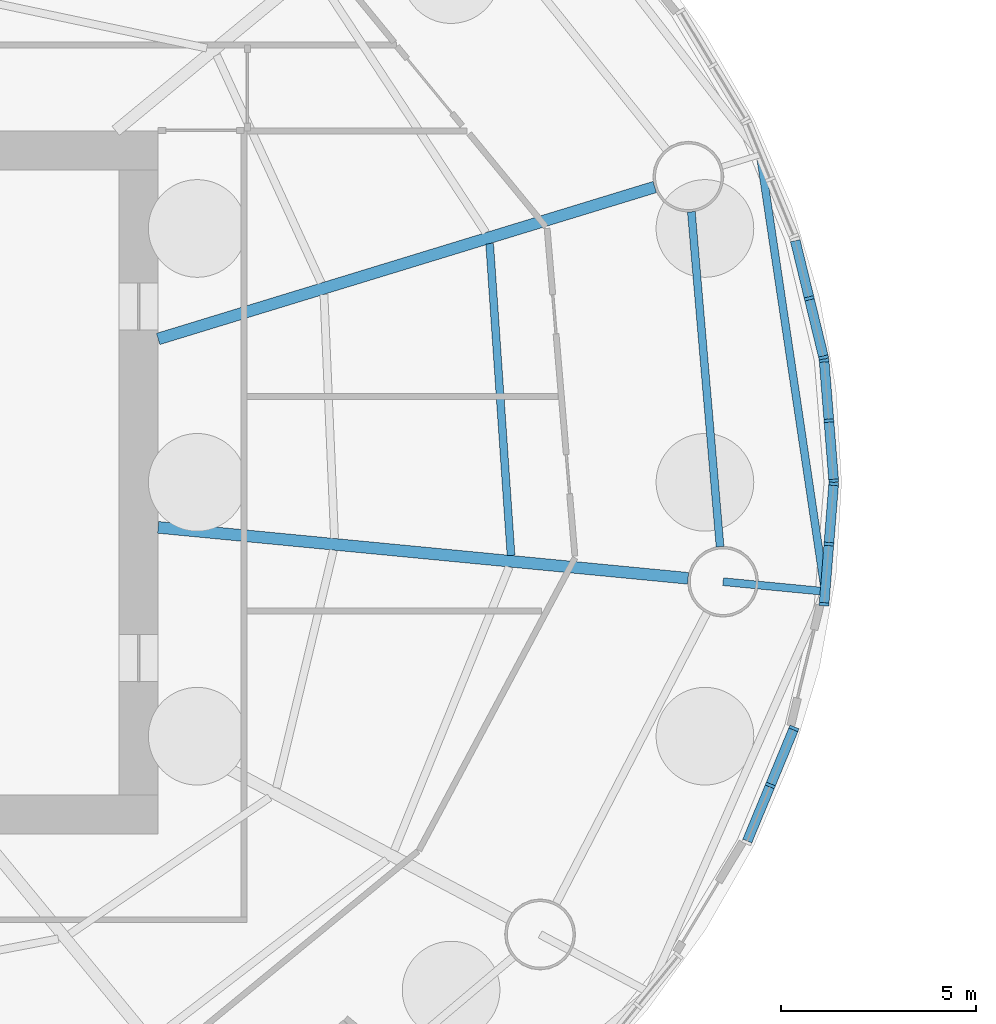
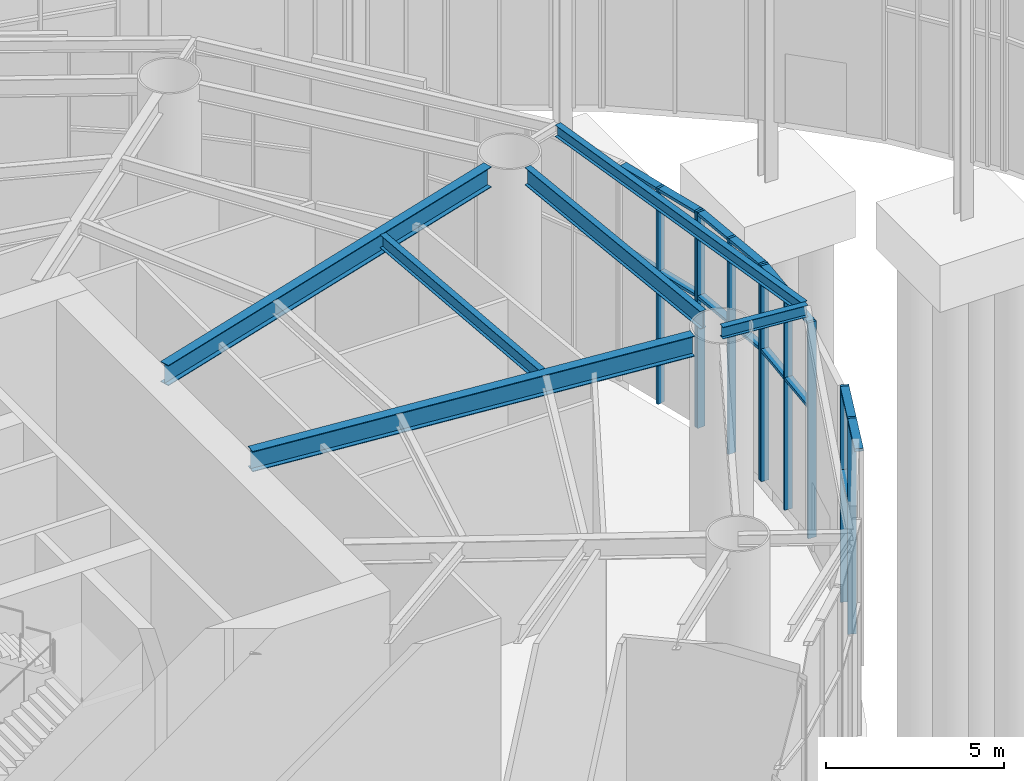
# One storey, part 9 of 27: 25 members, 6 beams, 4 elements without a shape of their own.
"""IFC4 building model written with IfcOpenShell, lengths in metres."""

from ifc_helpers import new_model, si_unit, direction, frame, origin, origin_2d, place, context, subcontext, project, spatial, rectangle, i_section, extrude, material, material_profile, profile_set, type_object, element, aggregate, save


model = new_model("IFC4")

# Units and contexts
model_context = context("Model", 3, precision=1e-05, world=origin(), true_north=direction((0.0, 1.0)))
body_context = subcontext(model_context, "Body", "Model", "MODEL_VIEW")
ifc_project = project(units=[si_unit("LENGTHUNIT", "METRE"), si_unit("AREAUNIT", "SQUARE_METRE"), si_unit("VOLUMEUNIT", "CUBIC_METRE"), si_unit("PLANEANGLEUNIT", "RADIAN"), si_unit("MASSUNIT", "GRAM", prefix="KILO")], contexts=[model_context])

# Site, building, storey
site_placement = place(None, origin())
site = spatial("IfcSite", under=ifc_project, at=site_placement, CompositionType="ELEMENT")
building_placement = place(site_placement, origin())
building = spatial("IfcBuilding", under=site, at=building_placement, Name="Vermilion Reach Broadcast Tower", CompositionType="ELEMENT")
storey_placement = place(building_placement, origin())
storey = spatial("IfcBuildingStorey", under=building, at=storey_placement, Name="L00", CompositionType="ELEMENT", Elevation=0.0)

# Curtain wall, members
ifc_material_1 = material(Name="Low-e laminated clear glass in aluminium frame", Category="aluminium")
curtain_wall_type = type_object("IfcCurtainWallType", Name="Drum wall curtain wall", PredefinedType="NOTDEFINED", material=ifc_material_1)
placement = place(storey_placement, origin())
curtain_wall_1 = element("IfcCurtainWall", 1, at=placement, inside=storey, type_object=curtain_wall_type, Name="Drum wall L00 03", PredefinedType="NOTDEFINED")
ifc_material_2 = material(Name="Anodised aluminium", Category="aluminium")
ifc_material_profile_1 = material_profile(ifc_material_2, rectangle(XDim=0.25, YDim=0.080078125, at=origin_2d()), Name="Drum wall mullion 80 x 250")
ifc_profile_set_1 = profile_set([ifc_material_profile_1], Name="Anodised aluminium")
member_type_1 = type_object("IfcMemberType", Name="Drum wall mullion 80 x 250", PredefinedType="MULLION", material=ifc_profile_set_1)
member_1_placement = place(storey_placement, frame((22.670166015625, 4.711669921875, 0.0), z_axis=(0.0, 0.0, 1.0), x_axis=(0.971782962258, 0.235876820108, 0.0)))
member_1 = element("IfcMember", 2, at=member_1_placement, type_object=member_type_1, Name="Drum wall mullion L00 03.2", PredefinedType="MULLION", context=body_context, shape_type="SweptSolid", body=[
    extrude(rectangle(XDim=0.25, YDim=0.080078125, at=origin_2d()), origin(), (0.0, 0.0, 1.0), 7.39990234375),
])
member_2_placement = place(storey_placement, frame((23.03759765625, 3.198486328125, 0.0), z_axis=(0.0, 0.0, 1.0), x_axis=(0.971782962258, 0.235876820108, 0.0)))
member_2 = element("IfcMember", 3, at=member_2_placement, type_object=member_type_1, Name="Drum wall mullion L00 03.3", PredefinedType="MULLION", context=body_context, shape_type="SweptSolid", body=[
    extrude(rectangle(XDim=0.25, YDim=0.080078125, at=origin_2d()), origin(), (0.0, 0.0, 1.0), 7.39990234375),
])

curtain_wall_2 = element("IfcCurtainWall", 4, at=placement, inside=storey, type_object=curtain_wall_type, Name="Drum wall L00 04", PredefinedType="NOTDEFINED")
member_3_placement = place(storey_placement, frame((23.050048828125, 3.119873046875, 0.0), z_axis=(0.0, 0.0, 1.0), x_axis=(0.99681683836, 0.079725722082, 0.0)))
member_3 = element("IfcMember", 5, at=member_3_placement, type_object=member_type_1, Name="Drum wall mullion L00 04.1", PredefinedType="MULLION", context=body_context, shape_type="SweptSolid", body=[
    extrude(rectangle(XDim=0.25, YDim=0.080078125, at=origin_2d()), origin(), (0.0, 0.0, 1.0), 7.39990234375),
])
member_4_placement = place(storey_placement, frame((23.17333984375, 1.579833984375, 0.0), z_axis=(0.0, 0.0, 1.0), x_axis=(0.99681683836, 0.079725722082, 0.0)))
member_4 = element("IfcMember", 6, at=member_4_placement, type_object=member_type_1, Name="Drum wall mullion L00 04.2", PredefinedType="MULLION", context=body_context, shape_type="SweptSolid", body=[
    extrude(rectangle(XDim=0.25, YDim=0.080078125, at=origin_2d()), origin(), (0.0, 0.0, 1.0), 7.39990234375),
])
member_5_placement = place(storey_placement, frame((23.29638671875, 0.039794921875, 0.0), z_axis=(0.0, 0.0, 1.0), x_axis=(0.99681683836, 0.079725722082, 0.0)))
member_5 = element("IfcMember", 7, at=member_5_placement, type_object=member_type_1, Name="Drum wall mullion L00 04.3", PredefinedType="MULLION", context=body_context, shape_type="SweptSolid", body=[
    extrude(rectangle(XDim=0.25, YDim=0.080078125, at=origin_2d()), origin(), (0.0, 0.0, 1.0), 7.39990234375),
])

curtain_wall_3 = element("IfcCurtainWall", 8, at=placement, inside=storey, type_object=curtain_wall_type, Name="Drum wall L00 05", PredefinedType="NOTDEFINED")
member_6_placement = place(storey_placement, frame((23.29638671875, -0.039794921875, 0.0), z_axis=(0.0, 0.0, 1.0), x_axis=(0.99681683836, -0.079725722082, 0.0)))
member_6 = element("IfcMember", 9, at=member_6_placement, type_object=member_type_1, Name="Drum wall mullion L00 05.1", PredefinedType="MULLION", context=body_context, shape_type="SweptSolid", body=[
    extrude(rectangle(XDim=0.25, YDim=0.080078125, at=origin_2d()), origin(), (0.0, 0.0, 1.0), 7.39990234375),
])
member_7_placement = place(storey_placement, frame((23.17333984375, -1.579833984375, 0.0), z_axis=(0.0, 0.0, 1.0), x_axis=(0.99681683836, -0.079725722082, 0.0)))
member_7 = element("IfcMember", 10, at=member_7_placement, type_object=member_type_1, Name="Drum wall mullion L00 05.2", PredefinedType="MULLION", context=body_context, shape_type="SweptSolid", body=[
    extrude(rectangle(XDim=0.25, YDim=0.080078125, at=origin_2d()), origin(), (0.0, 0.0, 1.0), 7.39990234375),
])
member_8_placement = place(storey_placement, frame((23.050048828125, -3.119873046875, 0.0), z_axis=(0.0, 0.0, 1.0), x_axis=(0.99681683836, -0.079725722082, 0.0)))
member_8 = element("IfcMember", 11, at=member_8_placement, type_object=member_type_1, Name="Drum wall mullion L00 05.3", PredefinedType="MULLION", context=body_context, shape_type="SweptSolid", body=[
    extrude(rectangle(XDim=0.25, YDim=0.080078125, at=origin_2d()), origin(), (0.0, 0.0, 1.0), 7.39990234375),
])

curtain_wall_4 = element("IfcCurtainWall", 12, at=placement, inside=storey, type_object=curtain_wall_type, Name="Drum wall L00 01", PredefinedType="NOTDEFINED")
member_9_placement = place(storey_placement, frame((22.2783203125, -6.300537109375, 0.0), z_axis=(0.0, 0.0, 1.0), x_axis=(0.92387542808, -0.382693341189, 0.0)))
member_9 = element("IfcMember", 13, at=member_9_placement, type_object=member_type_1, Name="Drum wall mullion L00 01.1", PredefinedType="MULLION", context=body_context, shape_type="SweptSolid", body=[
    extrude(rectangle(XDim=0.25, YDim=0.080078125, at=origin_2d()), origin(), (0.0, 0.0, 1.0), 7.39990234375),
])
member_10_placement = place(storey_placement, frame((21.673583984375, -7.76025390625, 0.0), z_axis=(0.0, 0.0, 1.0), x_axis=(0.92387542808, -0.382693341189, 0.0)))
member_10 = element("IfcMember", 14, at=member_10_placement, type_object=member_type_1, Name="Drum wall mullion L00 01.2", PredefinedType="MULLION", context=body_context, shape_type="SweptSolid", body=[
    extrude(rectangle(XDim=0.25, YDim=0.080078125, at=origin_2d()), origin(), (0.0, 0.0, 1.0), 7.39990234375),
])

# Member
ifc_material_3 = material(Name="Anodised aluminium", Category="aluminium")
ifc_material_profile_2 = material_profile(ifc_material_3, rectangle(XDim=0.25, YDim=0.10009765625, at=origin_2d()), Name="Drum wall transom 250 x 100")
ifc_profile_set_2 = profile_set([ifc_material_profile_2], Name="Anodised aluminium")
member_type_2 = type_object("IfcMemberType", Name="Drum wall transom 250 x 100", PredefinedType="USERDEFINED", material=ifc_profile_set_2)
member_11_placement = place(storey_placement, frame((22.3125, 6.185791015625, 4.5), z_axis=(0.235879143138, -0.971782398396, 0.0), x_axis=(0.971782398396, 0.235879143138, 0.0)))
member_11 = element("IfcMember", 15, at=member_11_placement, type_object=member_type_2, Name="Drum wall transom L00 03.1.2", ObjectType="TRANSOM", PredefinedType="USERDEFINED", context=body_context, shape_type="SweptSolid", body=[
    extrude(rectangle(XDim=0.25, YDim=0.10009765625, at=origin_2d()), origin(), (0.0, 0.0, 1.0), 1.47705078125),
])

member_12_placement = place(storey_placement, frame((22.3125, 6.185791015625, 7.35009765625), z_axis=(0.235879143138, -0.971782398396, 0.0), x_axis=(0.971782398396, 0.235879143138, 0.0)))
member_12 = element("IfcMember", 16, at=member_12_placement, type_object=member_type_2, Name="Drum wall transom L00 03.1.3", ObjectType="TRANSOM", PredefinedType="USERDEFINED", context=body_context, shape_type="SweptSolid", body=[
    extrude(rectangle(XDim=0.25, YDim=0.10009765625, at=origin_2d()), origin(), (0.0, 0.0, 1.0), 1.47705078125),
])

member_13_placement = place(storey_placement, frame((22.6796875, 4.6728515625, 4.5), z_axis=(0.235879143138, -0.971782398396, 0.0), x_axis=(0.971782398396, 0.235879143138, 0.0)))
member_13 = element("IfcMember", 17, at=member_13_placement, type_object=member_type_2, Name="Drum wall transom L00 03.2.2", ObjectType="TRANSOM", PredefinedType="USERDEFINED", context=body_context, shape_type="SweptSolid", body=[
    extrude(rectangle(XDim=0.25, YDim=0.10009765625, at=origin_2d()), origin(), (0.0, 0.0, 1.0), 1.47705078125),
])

member_14_placement = place(storey_placement, frame((22.6796875, 4.6728515625, 7.35009765625), z_axis=(0.235879143138, -0.971782398396, 0.0), x_axis=(0.971782398396, 0.235879143138, 0.0)))
member_14 = element("IfcMember", 18, at=member_14_placement, type_object=member_type_2, Name="Drum wall transom L00 03.2.3", ObjectType="TRANSOM", PredefinedType="USERDEFINED", context=body_context, shape_type="SweptSolid", body=[
    extrude(rectangle(XDim=0.25, YDim=0.10009765625, at=origin_2d()), origin(), (0.0, 0.0, 1.0), 1.47705078125),
])

aggregate(curtain_wall_1, [member_1, member_2, member_11, member_12, member_13, member_14])

member_15_placement = place(storey_placement, frame((23.05322265625, 3.080078125, 4.5), z_axis=(0.079818075128, -0.996809447629, 0.0), x_axis=(0.996809447629, 0.079818075128, 0.0)))
member_15 = element("IfcMember", 19, at=member_15_placement, type_object=member_type_2, Name="Drum wall transom L00 04.1.2", ObjectType="TRANSOM", PredefinedType="USERDEFINED", context=body_context, shape_type="SweptSolid", body=[
    extrude(rectangle(XDim=0.25, YDim=0.10009765625, at=origin_2d()), origin(), (0.0, 0.0, 1.0), 1.465087890625),
])

member_16_placement = place(storey_placement, frame((23.05322265625, 3.080078125, 7.35009765625), z_axis=(0.079818075128, -0.996809447629, 0.0), x_axis=(0.996809447629, 0.079818075128, 0.0)))
member_16 = element("IfcMember", 20, at=member_16_placement, type_object=member_type_2, Name="Drum wall transom L00 04.1.3", ObjectType="TRANSOM", PredefinedType="USERDEFINED", context=body_context, shape_type="SweptSolid", body=[
    extrude(rectangle(XDim=0.25, YDim=0.10009765625, at=origin_2d()), origin(), (0.0, 0.0, 1.0), 1.465087890625),
])

member_17_placement = place(storey_placement, frame((23.176513671875, 1.5400390625, 4.5), z_axis=(0.079665731706, -0.996821634593, 0.0), x_axis=(0.996821634593, 0.079665731706, 0.0)))
member_17 = element("IfcMember", 21, at=member_17_placement, type_object=member_type_2, Name="Drum wall transom L00 04.2.2", ObjectType="TRANSOM", PredefinedType="USERDEFINED", context=body_context, shape_type="SweptSolid", body=[
    extrude(rectangle(XDim=0.25, YDim=0.10009765625, at=origin_2d()), origin(), (0.0, 0.0, 1.0), 1.46484375),
])

member_18_placement = place(storey_placement, frame((23.176513671875, 1.5400390625, 7.35009765625), z_axis=(0.079665731706, -0.996821634593, 0.0), x_axis=(0.996821634593, 0.079665731706, 0.0)))
member_18 = element("IfcMember", 22, at=member_18_placement, type_object=member_type_2, Name="Drum wall transom L00 04.2.3", ObjectType="TRANSOM", PredefinedType="USERDEFINED", context=body_context, shape_type="SweptSolid", body=[
    extrude(rectangle(XDim=0.25, YDim=0.10009765625, at=origin_2d()), origin(), (0.0, 0.0, 1.0), 1.46484375),
])

aggregate(curtain_wall_2, [member_3, member_4, member_5, member_15, member_16, member_17, member_18])

member_19_placement = place(storey_placement, frame((23.293212890625, -0.079833984375, 4.5), z_axis=(-0.079665731706, -0.996821634593, 0.0), x_axis=(0.996821634593, -0.079665731706, 0.0)))
member_19 = element("IfcMember", 23, at=member_19_placement, type_object=member_type_2, Name="Drum wall transom L00 05.1.2", ObjectType="TRANSOM", PredefinedType="USERDEFINED", context=body_context, shape_type="SweptSolid", body=[
    extrude(rectangle(XDim=0.25, YDim=0.10009765625, at=origin_2d()), origin(), (0.0, 0.0, 1.0), 1.46484375),
])

member_20_placement = place(storey_placement, frame((23.293212890625, -0.079833984375, 7.35009765625), z_axis=(-0.079665731706, -0.996821634593, 0.0), x_axis=(0.996821634593, -0.079665731706, 0.0)))
member_20 = element("IfcMember", 24, at=member_20_placement, type_object=member_type_2, Name="Drum wall transom L00 05.1.3", ObjectType="TRANSOM", PredefinedType="USERDEFINED", context=body_context, shape_type="SweptSolid", body=[
    extrude(rectangle(XDim=0.25, YDim=0.10009765625, at=origin_2d()), origin(), (0.0, 0.0, 1.0), 1.46484375),
])

member_21_placement = place(storey_placement, frame((23.170166015625, -1.61962890625, 4.5), z_axis=(-0.079818075128, -0.996809447629, 0.0), x_axis=(0.996809447629, -0.079818075128, 0.0)))
member_21 = element("IfcMember", 25, at=member_21_placement, type_object=member_type_2, Name="Drum wall transom L00 05.2.2", ObjectType="TRANSOM", PredefinedType="USERDEFINED", context=body_context, shape_type="SweptSolid", body=[
    extrude(rectangle(XDim=0.25, YDim=0.10009765625, at=origin_2d()), origin(), (0.0, 0.0, 1.0), 1.465087890625),
])

member_22_placement = place(storey_placement, frame((23.170166015625, -1.61962890625, 7.35009765625), z_axis=(-0.079818075128, -0.996809447629, 0.0), x_axis=(0.996809447629, -0.079818075128, 0.0)))
member_22 = element("IfcMember", 26, at=member_22_placement, type_object=member_type_2, Name="Drum wall transom L00 05.2.3", ObjectType="TRANSOM", PredefinedType="USERDEFINED", context=body_context, shape_type="SweptSolid", body=[
    extrude(rectangle(XDim=0.25, YDim=0.10009765625, at=origin_2d()), origin(), (0.0, 0.0, 1.0), 1.465087890625),
])

aggregate(curtain_wall_3, [member_6, member_7, member_8, member_19, member_20, member_21, member_22])

member_23_placement = place(storey_placement, frame((22.262939453125, -6.33740234375, 4.5), z_axis=(-0.382672848413, -0.923883916457, 0.0), x_axis=(0.923883916457, -0.382672848413, 0.0)))
member_23 = element("IfcMember", 27, at=member_23_placement, type_object=member_type_2, Name="Drum wall transom L00 01.1.2", ObjectType="TRANSOM", PredefinedType="USERDEFINED", context=body_context, shape_type="SweptSolid", body=[
    extrude(rectangle(XDim=0.25, YDim=0.10009765625, at=origin_2d()), origin(), (0.0, 0.0, 1.0), 1.5),
])

member_24_placement = place(storey_placement, frame((22.262939453125, -6.33740234375, 7.35009765625), z_axis=(-0.382672848413, -0.923883916457, 0.0), x_axis=(0.923883916457, -0.382672848413, 0.0)))
member_24 = element("IfcMember", 28, at=member_24_placement, type_object=member_type_2, Name="Drum wall transom L00 01.1.3", ObjectType="TRANSOM", PredefinedType="USERDEFINED", context=body_context, shape_type="SweptSolid", body=[
    extrude(rectangle(XDim=0.25, YDim=0.10009765625, at=origin_2d()), origin(), (0.0, 0.0, 1.0), 1.5),
])

member_25_placement = place(storey_placement, frame((21.658447265625, -7.797119140625, 7.35009765625), z_axis=(-0.382811769845, -0.923826362943, 0.0), x_axis=(0.923826362943, -0.382811769845, 0.0)))
member_25 = element("IfcMember", 29, at=member_25_placement, type_object=member_type_2, Name="Drum wall transom L00 01.2.3", ObjectType="TRANSOM", PredefinedType="USERDEFINED", context=body_context, shape_type="SweptSolid", body=[
    extrude(rectangle(XDim=0.25, YDim=0.10009765625, at=origin_2d()), origin(), (0.0, 0.0, 1.0), 1.5),
])

aggregate(curtain_wall_4, [member_9, member_10, member_23, member_24, member_25])

# Beams
ifc_material_4 = material(Name="Steel S355J2", Category="steel")
ifc_material_profile_3 = material_profile(ifc_material_4, i_section(OverallWidth=0.199951171875, OverallDepth=0.39990234375, WebThickness=0.008056640625, FlangeThickness=0.012939453125, at=origin_2d()), Name="S355J2 HN 400x200x8x13")
ifc_profile_set_3 = profile_set([ifc_material_profile_3], Name="Steel S355J2")
beam_type_1 = type_object("IfcBeamType", Name="EB1 HN 400x200x8x13", PredefinedType="BEAM", material=ifc_profile_set_3)
beam_1_placement = place(storey_placement, frame((23.061279296875, -2.692626953125, 7.60009765625), z_axis=(-0.147029010253, 0.98913218032, 0.0), x_axis=(-0.98913218032, -0.147029010253, 0.0)))
element("IfcBeam", 30, at=beam_1_placement, inside=storey, type_object=beam_type_1, Name="Edge beam EB1-16", PredefinedType="BEAM", context=body_context, shape_type="SweptSolid", body=[
    extrude(i_section(OverallWidth=0.199951171875, OverallDepth=0.39990234375, WebThickness=0.008056640625, FlangeThickness=0.012939453125, at=origin_2d()), origin(), (0.0, 0.0, 1.0), 11.125244140625),
])
ifc_material_5 = material(Name="Steel S355J2", Category="steel")
ifc_material_profile_4 = material_profile(ifc_material_5, i_section(OverallWidth=0.300048828125, OverallDepth=0.699951171875, WebThickness=0.012939453125, FlangeThickness=0.02392578125, at=origin_2d()), Name="S355J2 HN 700x300x13x24")
ifc_profile_set_4 = profile_set([ifc_material_profile_4], Name="Steel S355J2")
beam_type_2 = type_object("IfcBeamType", Name="G1 HN 700x300x13x24", PredefinedType="BEAM", material=ifc_profile_set_4)
beam_2_placement = place(storey_placement, frame((6.0, 3.671142578125, 7.449951171875), z_axis=(0.956255735186, 0.292531996409, 0.0), x_axis=(-0.292531996409, 0.956255735186, 0.0)))
element("IfcBeam", 31, at=beam_2_placement, inside=storey, type_object=beam_type_2, Name="Girder G1-01", PredefinedType="BEAM", context=body_context, shape_type="SweptSolid", body=[
    extrude(i_section(OverallWidth=0.300048828125, OverallDepth=0.699951171875, WebThickness=0.012939453125, FlangeThickness=0.02392578125, at=origin_2d()), origin(), (0.0, 0.0, 1.0), 13.29638671875),
])
beam_3_placement = place(storey_placement, frame((6.0, -1.1533203125, 7.449951171875), z_axis=(0.995412178872, -0.095679643363, 0.0), x_axis=(0.095679643363, 0.995412178872, 0.0)))
element("IfcBeam", 32, at=beam_3_placement, inside=storey, type_object=beam_type_2, Name="Girder G1-16", PredefinedType="BEAM", context=body_context, shape_type="SweptSolid", body=[
    extrude(i_section(OverallWidth=0.300048828125, OverallDepth=0.699951171875, WebThickness=0.012939453125, FlangeThickness=0.02392578125, at=origin_2d()), origin(), (0.0, 0.0, 1.0), 13.630859375),
])
ifc_material_6 = material(Name="Steel S355J2", Category="steel")
ifc_material_profile_5 = material_profile(ifc_material_6, i_section(OverallWidth=0.199951171875, OverallDepth=0.39990234375, WebThickness=0.008056640625, FlangeThickness=0.012939453125, at=origin_2d()), Name="S355J2 HN 400x200x8x13")
ifc_profile_set_5 = profile_set([ifc_material_profile_5], Name="Steel S355J2")
beam_type_3 = type_object("IfcBeamType", Name="GC1 HN 400x200x8x13", PredefinedType="BEAM", material=ifc_profile_set_5)
beam_4_placement = place(storey_placement, frame((20.464111328125, -2.54345703125, 7.60009765625), z_axis=(0.995407665441, -0.095726587639, 0.0), x_axis=(0.095726587639, 0.995407665441, 0.0)))
element("IfcBeam", 33, at=beam_4_placement, inside=storey, type_object=beam_type_3, Name="Cantilever girder GC1-16", PredefinedType="BEAM", context=body_context, shape_type="SweptSolid", body=[
    extrude(i_section(OverallWidth=0.199951171875, OverallDepth=0.39990234375, WebThickness=0.008056640625, FlangeThickness=0.012939453125, at=origin_2d()), origin(), (0.0, 0.0, 1.0), 2.624267578125),
])
ifc_material_7 = material(Name="Steel S355J2", Category="steel")
ifc_material_profile_6 = material_profile(ifc_material_7, i_section(OverallWidth=0.199951171875, OverallDepth=0.60009765625, WebThickness=0.010986328125, FlangeThickness=0.01708984375, at=origin_2d()), Name="S355J2 HN 600x200x11x17")
ifc_profile_set_6 = profile_set([ifc_material_profile_6], Name="Steel S355J2")
beam_type_4 = type_object("IfcBeamType", Name="RB1 HN 600x200x11x17", PredefinedType="BEAM", material=ifc_profile_set_6)
beam_5_placement = place(storey_placement, frame((20.38720703125, -1.646728515625, 7.5), z_axis=(-0.085395508608, 0.996347131832, 0.0), x_axis=(-0.996347131832, -0.085395508608, 0.0)))
element("IfcBeam", 34, at=beam_5_placement, inside=storey, type_object=beam_type_4, Name="Ring beam RB1-16", PredefinedType="BEAM", context=body_context, shape_type="SweptSolid", body=[
    extrude(i_section(OverallWidth=0.199951171875, OverallDepth=0.60009765625, WebThickness=0.010986328125, FlangeThickness=0.01708984375, at=origin_2d()), origin(), (0.0, 0.0, 1.0), 8.60546875),
])
ifc_material_8 = material(Name="Steel S355J2", Category="steel")
ifc_material_profile_7 = material_profile(ifc_material_8, i_section(OverallWidth=0.199951171875, OverallDepth=0.449951171875, WebThickness=0.009033203125, FlangeThickness=0.013916015625, at=origin_2d()), Name="S355J2 HN 450x200x9x14")
ifc_profile_set_7 = profile_set([ifc_material_profile_7], Name="Steel S355J2")
beam_type_5 = type_object("IfcBeamType", Name="SB1 HN 450x200x9x14", PredefinedType="BEAM", material=ifc_profile_set_7)
beam_6_placement = place(storey_placement, frame((15.03515625, -1.87109375, 7.574951171875), z_axis=(-0.068507801475, 0.997650580683, 0.0), x_axis=(-0.997650580683, -0.068507801475, 0.0)))
element("IfcBeam", 35, at=beam_6_placement, inside=storey, type_object=beam_type_5, Name="Secondary beam SB1-16-2", PredefinedType="BEAM", context=body_context, shape_type="SweptSolid", body=[
    extrude(i_section(OverallWidth=0.199951171875, OverallDepth=0.449951171875, WebThickness=0.009033203125, FlangeThickness=0.013916015625, at=origin_2d()), origin(), (0.0, 0.0, 1.0), 8.00048828125),
])

save(model, "model.ifc")
